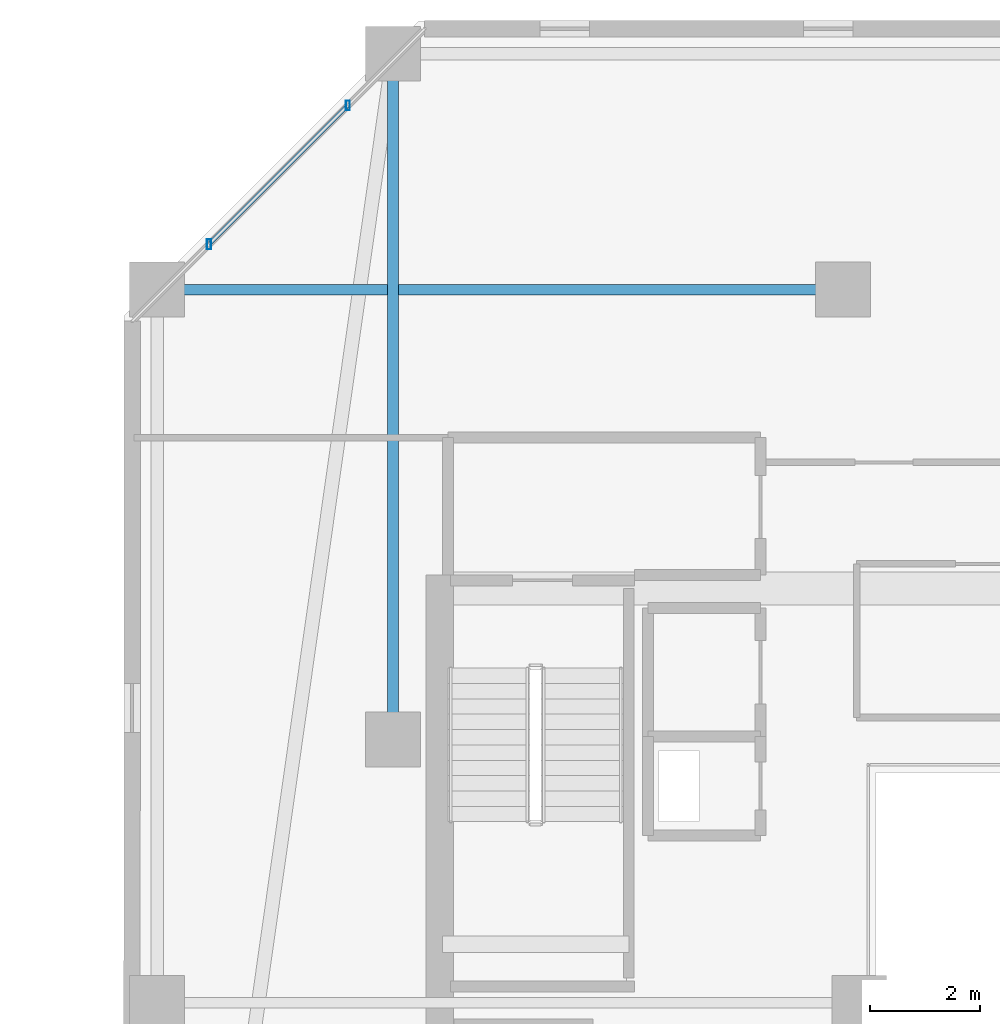
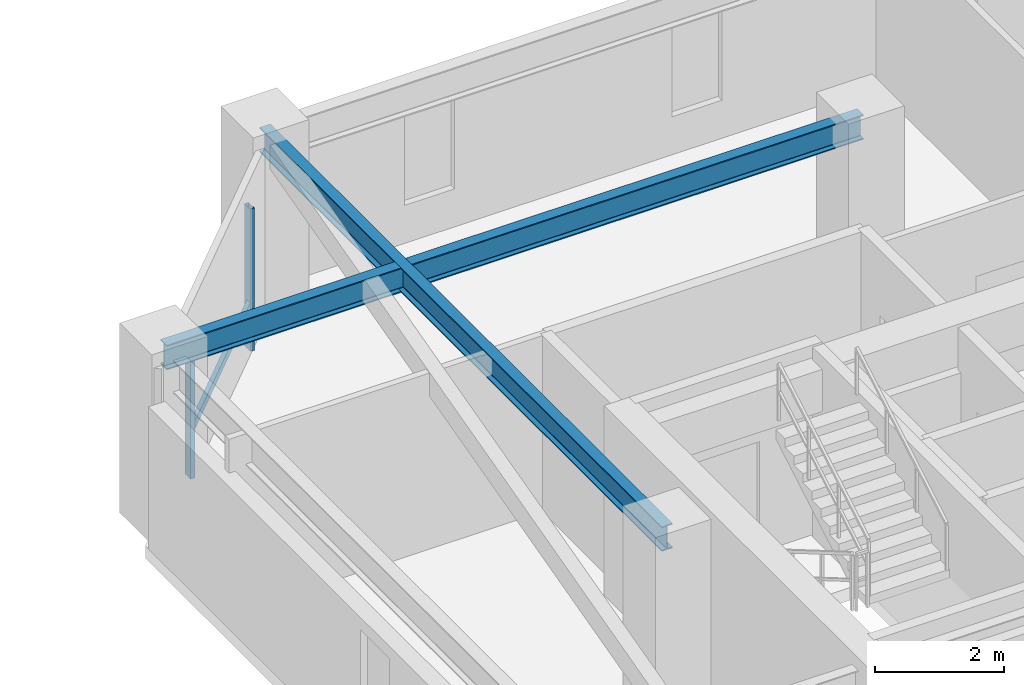
# One storey, part 14 of 32: 3 members, 2 beams, 1 element without a shape of its own.
"""IFC4 building model written with IfcOpenShell, lengths in metres."""

from ifc_helpers import new_model, si_unit, direction, frame, origin, origin_2d, place, context, subcontext, project, spatial, hollow_rectangle, i_section, extrude, material, material_profile, profile_set, type_object, element, aggregate, save


model = new_model("IFC4")

# Units and contexts
model_context = context("Model", 3, precision=1e-05, world=origin(), true_north=direction((0.0, 1.0)))
body_context = subcontext(model_context, "Body", "Model", "MODEL_VIEW")
ifc_project = project(units=[si_unit("LENGTHUNIT", "METRE"), si_unit("AREAUNIT", "SQUARE_METRE"), si_unit("VOLUMEUNIT", "CUBIC_METRE"), si_unit("PLANEANGLEUNIT", "RADIAN"), si_unit("MASSUNIT", "GRAM", prefix="KILO")], contexts=[model_context])

# Site, building, storey
site_placement = place(None, origin())
site = spatial("IfcSite", under=ifc_project, at=site_placement, CompositionType="ELEMENT")
building_placement = place(site_placement, origin())
building = spatial("IfcBuilding", under=site, at=building_placement, Name="Thornwick Lancets Civic Towers", CompositionType="ELEMENT")
storey_placement = place(building_placement, frame((0.0, 0.0, 240.300048828125)))
storey = spatial("IfcBuildingStorey", under=building, at=storey_placement, Name="L64", CompositionType="ELEMENT", Elevation=240.300048828125)

# Beams
ifc_material_1 = material(Name="Steel S355JR", Category="steel")
ifc_material_profile_1 = material_profile(ifc_material_1, i_section(OverallWidth=0.19287109375, OverallDepth=0.46728515625, WebThickness=0.011474609375, FlangeThickness=0.01953125, FilletRadius=0.01025390625, at=origin_2d()), Name="UKB 457x191x98")
ifc_profile_set_1 = profile_set([ifc_material_profile_1], Name="Steel S355JR")
beam_type = type_object("IfcBeamType", Name="BM_JOIST_457_98", PredefinedType="JOIST", material=ifc_profile_set_1)
for number, where, z_axis, x_axis, name in (
    (1, (75.5, 31.800048828125, 3.12646484375), (0.0, 1.0, 0.0), (-1.0, 0.0, 0.0), "BM-RADIN-L64-B06"),
    (2, (83.699951171875, 40.0, 3.12646484375), (-1.0, 0.0, 0.0), (0.0, -1.0, 0.0), "BM-RADIN-L64-B09"),
):
    element("IfcBeam", number, at=place(storey_placement, frame(where, z_axis=z_axis, x_axis=x_axis)), inside=storey, type_object=beam_type, Name=name, PredefinedType="JOIST", context=body_context, shape_type="SweptSolid", body=[
        extrude(i_section(OverallWidth=0.19287109375, OverallDepth=0.46728515625, WebThickness=0.011474609375, FlangeThickness=0.01953125, FilletRadius=0.01025390625, at=origin_2d()), origin(), (0.0, 0.0, 1.0), 12.5),
    ])

# Curtain wall, members
ifc_material_2 = material(Name="High-zone chamfered-corner unitised glass curtain wall", Category="glass")
curtain_wall_type = type_object("IfcCurtainWallType", Name="CW_SYS_05", PredefinedType="NOTDEFINED", material=ifc_material_2)
curtain_wall_placement = place(storey_placement, origin())
curtain_wall = element("IfcCurtainWall", 3, at=curtain_wall_placement, inside=storey, type_object=curtain_wall_type, Name="L64 Curtain Wall CW-L64-B-E5", PredefinedType="NOTDEFINED")
ifc_material_3 = material(Name="Thermally broken bronze aluminium S355", Category="steel")
ifc_material_profile_2 = material_profile(ifc_material_3, hollow_rectangle(XDim=0.074951171875, YDim=0.179931640625, WallThickness=0.006103515625, at=origin_2d()), Name="RHS 180x75x6")
ifc_profile_set_2 = profile_set([ifc_material_profile_2], Name="Thermally broken bronze aluminium S355")
member_type_1 = type_object("IfcMemberType", Name="CW_MUL_180", PredefinedType="MULLION", material=ifc_profile_set_2)
member_1_placement = place(storey_placement, frame((74.676513671875, 43.355712890625, 0.0), z_axis=(0.0, 0.0, 1.0), x_axis=(1.0, 0.0, 0.0)))
member_1 = element("IfcMember", 4, at=member_1_placement, type_object=member_type_1, Name="CW-L64-B-E5 Mullion 0", PredefinedType="MULLION", context=body_context, shape_type="SweptSolid", body=[
    extrude(hollow_rectangle(XDim=0.074951171875, YDim=0.179931640625, WallThickness=0.006103515625, at=origin_2d()), origin(), (0.0, 0.0, 1.0), 2.699951171875),
])
member_2_placement = place(storey_placement, frame((72.144287109375, 40.823486328125, 0.0), z_axis=(0.0, 0.0, 1.0), x_axis=(1.0, 0.0, 0.0)))
member_2 = element("IfcMember", 5, at=member_2_placement, type_object=member_type_1, Name="CW-L64-B-E5 Mullion 1", PredefinedType="MULLION", context=body_context, shape_type="SweptSolid", body=[
    extrude(hollow_rectangle(XDim=0.074951171875, YDim=0.179931640625, WallThickness=0.006103515625, at=origin_2d()), origin(), (0.0, 0.0, 1.0), 2.699951171875),
])
ifc_material_profile_3 = material_profile(ifc_material_3, hollow_rectangle(XDim=0.074951171875, YDim=0.14990234375, WallThickness=0.0048828125, at=origin_2d()), Name="RHS 150x75x5")
ifc_profile_set_3 = profile_set([ifc_material_profile_3], Name="Thermally broken bronze aluminium S355")
member_type_2 = type_object("IfcMemberType", Name="CW_TRN_150", PredefinedType="USERDEFINED", material=ifc_profile_set_3)
member_3_placement = place(storey_placement, frame((74.662353515625, 43.341552734375, 0.849853515625), z_axis=(-0.707106781187, -0.707106781187, 0.0), x_axis=(0.707106781187, -0.707106781187, 0.0)))
member_3 = element("IfcMember", 6, at=member_3_placement, type_object=member_type_2, Name="CW-L64-B-E5 Transom 0", ObjectType="TRANSOM", PredefinedType="USERDEFINED", context=body_context, shape_type="SweptSolid", body=[
    extrude(hollow_rectangle(XDim=0.074951171875, YDim=0.14990234375, WallThickness=0.0048828125, at=origin_2d()), origin(), (0.0, 0.0, 1.0), 3.541015625),
])
aggregate(curtain_wall, [member_1, member_2, member_3])

save(model, "model.ifc")
